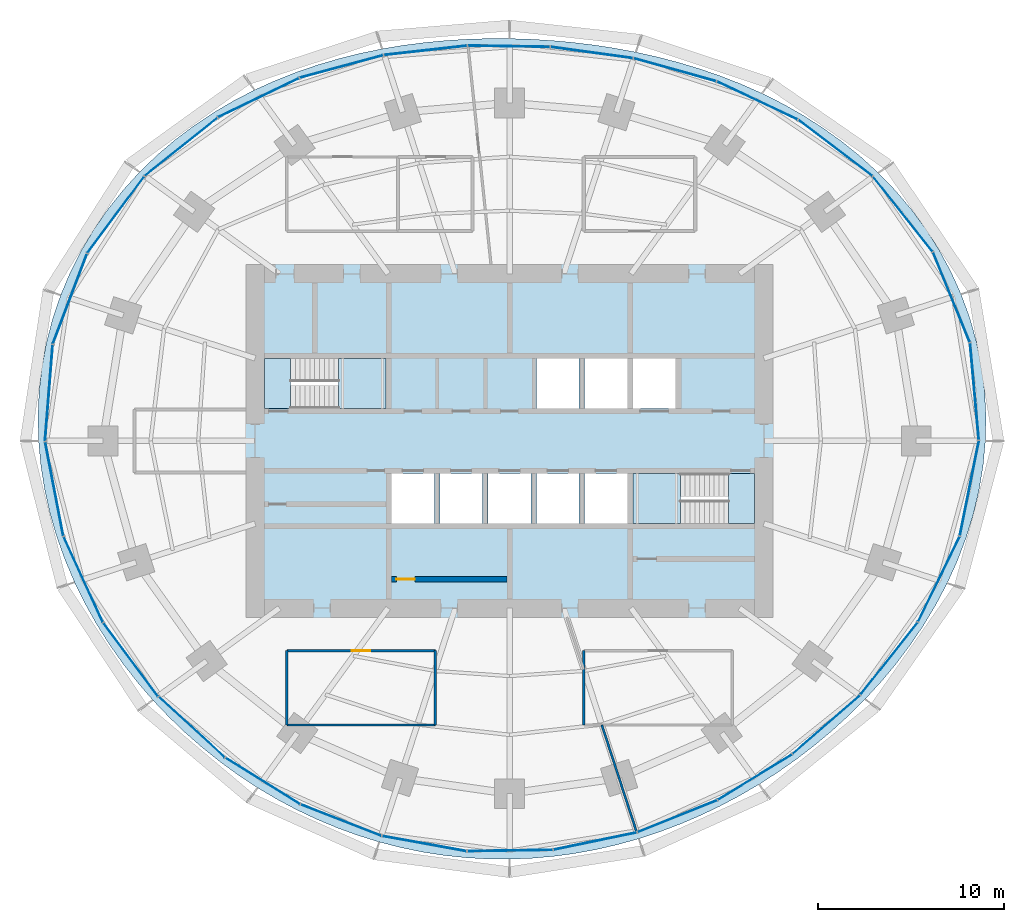
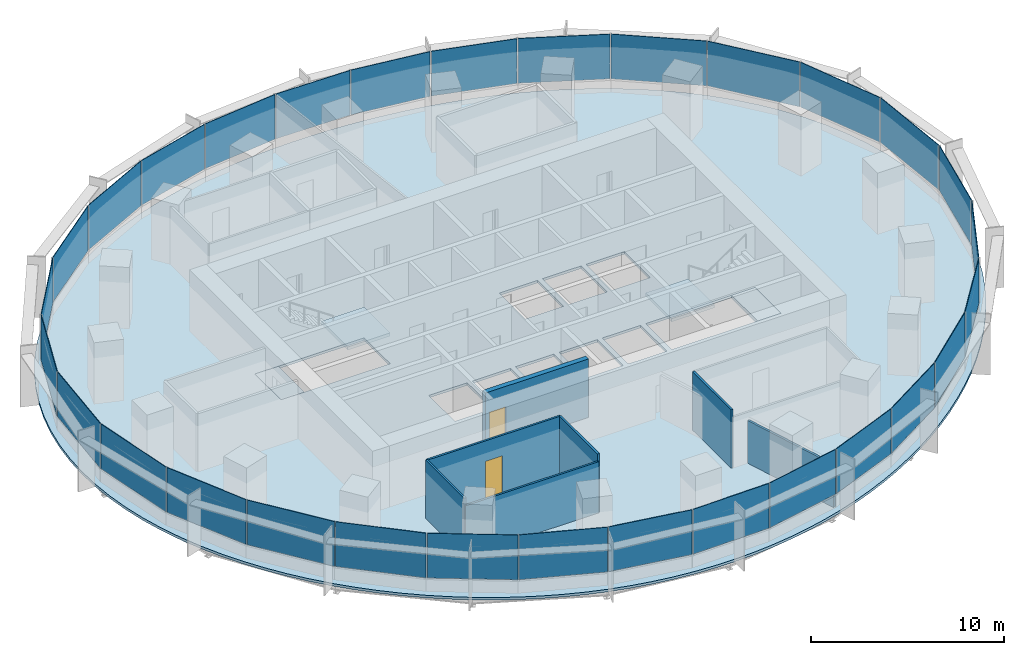
# One storey, part 9 of 14: 30 plates, 7 walls, 5 slabs, 2 doors, 2 openings, 8 elements without a shape of their own.
"""IFC4 building model written with IfcOpenShell, lengths in metres."""

import ifcopenshell
import ifcopenshell.guid

model = None  # the IFC model being written
_history = None  # IfcOwnerHistory: only IFC2X3 demands one
_inside = {}  # id of a spatial element -> (the spatial element, [elements in it])
_under = {}  # id of a project, library or spatial element -> (it, [spatial elements below it])
_declared = {}  # id of a project -> (the project, [libraries it declares])
_typed = {}  # id of a type object -> (the type object, [elements of that type])
_made_of = {}  # id of a material, layer set ... -> (it, [elements and type objects made of it])


def new_model(schema):
    """Start an empty IFC model of exactly this schema.

    Asked for "IFC4X3", IfcOpenShell would pick the latest addendum, in which some entities
    have other attributes; the version numbers below select the first issue.
    IFC2X3 requires an IfcOwnerHistory on every rooted entity: one is made here for all.
    """
    global model, _history
    if schema == "IFC4X3":
        model = ifcopenshell.file(schema_version=(4, 3, 0, 0))
    else:
        model = ifcopenshell.file(schema=schema)
    _inside.clear()
    _under.clear()
    _declared.clear()
    _typed.clear()
    _made_of.clear()
    _history = None
    if model.schema == "IFC2X3":
        org = make("IfcOrganization", Name="unknown")
        user = make(
            "IfcPersonAndOrganization",
            ThePerson=make("IfcPerson", FamilyName="unknown"),
            TheOrganization=org,
        )
        app = make(
            "IfcApplication",
            ApplicationDeveloper=org,
            Version="unknown",
            ApplicationFullName="unknown",
            ApplicationIdentifier="unknown",
        )
        _history = make(
            "IfcOwnerHistory",
            OwningUser=user,
            OwningApplication=app,
            ChangeAction="ADDED",
            CreationDate=0,
        )
    return model


def make(cls, **values):
    """One entity of the class cls with the attributes given. An attribute that is None is left unset."""
    return model.create_entity(
        cls, **{name: value for name, value in values.items() if value is not None}
    )


def rooted(cls, **values):
    """An entity with a GlobalId (a new one), such as an element, a storey or a relation."""
    return make(cls, GlobalId=ifcopenshell.guid.new(), OwnerHistory=_history, **values)


def si_unit(unit_type, name, prefix=None):
    """IfcSIUnit, for example si_unit("LENGTHUNIT", "METRE", prefix="MILLI")."""
    return make("IfcSIUnit", UnitType=unit_type, Prefix=prefix, Name=name)


def assignment(units):
    """IfcUnitAssignment: the units of a project."""
    return None if units is None else make("IfcUnitAssignment", Units=units)


def point(xyz):
    """IfcCartesianPoint."""
    return None if xyz is None else make("IfcCartesianPoint", Coordinates=xyz)


def direction(xyz):
    """IfcDirection."""
    return None if xyz is None else make("IfcDirection", DirectionRatios=xyz)


def frame(location, z_axis=None, x_axis=None):
    """IfcAxis2Placement3D, a coordinate frame: its origin and axes. An axis left out is left unset."""
    return make(
        "IfcAxis2Placement3D",
        Location=point(location),
        Axis=direction(z_axis),
        RefDirection=direction(x_axis),
    )


def frame_2d(location, x_axis=None):
    """IfcAxis2Placement2D, a coordinate frame in the plane: its origin and x axis."""
    return make(
        "IfcAxis2Placement2D", Location=point(location), RefDirection=direction(x_axis)
    )


def origin():
    """The frame at (0, 0, 0) with its axes left unset."""
    return frame((0.0, 0.0, 0.0))


def origin_2d():
    """The frame at (0, 0) in the plane with its x axis left unset."""
    return frame_2d((0.0, 0.0))


def place(relative_to, where):
    """IfcLocalPlacement: puts the frame where relative to a parent placement (None: the world)."""
    return make(
        "IfcLocalPlacement", PlacementRelTo=relative_to, RelativePlacement=where
    )


def context(
    kind, dimensions, precision=None, world=None, true_north=None, identifier=None
):
    """IfcGeometricRepresentationContext, for example the 3D "Model" context."""
    return make(
        "IfcGeometricRepresentationContext",
        ContextIdentifier=identifier,
        ContextType=kind,
        CoordinateSpaceDimension=dimensions,
        Precision=precision,
        WorldCoordinateSystem=world,
        TrueNorth=true_north,
    )


def subcontext(parent, identifier, kind, view, scale=None):
    """IfcGeometricRepresentationSubContext, for example "Body" below "Model"."""
    return make(
        "IfcGeometricRepresentationSubContext",
        ContextIdentifier=identifier,
        ContextType=kind,
        ParentContext=parent,
        TargetScale=scale,
        TargetView=view,
    )


def project(units=None, contexts=None):
    """IfcProject with its units and contexts."""
    return rooted(
        "IfcProject",
        Name="project",
        RepresentationContexts=contexts,
        UnitsInContext=assignment(units),
    )


def spatial(cls, under=None, at=None, **own):
    """A site, building, storey or space (cls), placed at a placement, below another one or the project."""
    s = rooted(cls, ObjectPlacement=at, **own)
    if under is not None:
        _under.setdefault(under.id(), (under, []))[1].append(s)
    return s


def polyline(points):
    """IfcPolyline through the points."""
    return make("IfcPolyline", Points=[point(p) for p in points])


def profile(cls, at=None, kind="AREA", **sizes):
    """A parametric profile (cls). Its sizes go by their IFC names, for example OverallWidth=200.0."""
    return make(cls, ProfileType=kind, Position=at, **sizes)


def rectangle(**sizes):
    """IfcRectangleProfileDef."""
    return profile("IfcRectangleProfileDef", **sizes)


def outline(outer, holes=None, kind="AREA"):
    """IfcArbitraryClosedProfileDef: a profile drawn as a closed curve; with holes, ...WithVoids."""
    if holes is None:
        return make("IfcArbitraryClosedProfileDef", ProfileType=kind, OuterCurve=outer)
    return make(
        "IfcArbitraryProfileDefWithVoids",
        ProfileType=kind,
        OuterCurve=outer,
        InnerCurves=holes,
    )


def extrude(swept, where, along, depth):
    """IfcExtrudedAreaSolid: the profile swept, set in the frame where, extruded along a direction by depth."""
    return make(
        "IfcExtrudedAreaSolid",
        SweptArea=swept,
        Position=where,
        ExtrudedDirection=direction(along),
        Depth=depth,
    )


def shape(context_of_items, identifier, shape_type, items):
    """IfcShapeRepresentation: the items that make up one representation, for example the "Body"."""
    return make(
        "IfcShapeRepresentation",
        ContextOfItems=context_of_items,
        RepresentationIdentifier=identifier,
        RepresentationType=shape_type,
        Items=items,
    )


def material(Name=None, Category=None):
    """IfcMaterial."""
    return make("IfcMaterial", Name=Name, Category=Category)


def layer(
    of_material, thickness, ventilated=None, Name=None, Category=None, Priority=None
):
    """IfcMaterialLayer: one layer of a wall or slab, of a material (None: an air gap)."""
    return make(
        "IfcMaterialLayer",
        Material=of_material,
        LayerThickness=thickness,
        IsVentilated=ventilated,
        Name=Name,
        Category=Category,
        Priority=Priority,
    )


def layer_set(layers, Name=None):
    """IfcMaterialLayerSet."""
    return make("IfcMaterialLayerSet", MaterialLayers=layers, LayerSetName=Name)


def made_of(thing, what):
    """Note that an element or type object is made of a material, layer set ...; save() writes the relation."""
    if what is not None:
        _made_of.setdefault(what.id(), (what, []))[1].append(thing)
    return thing


def type_object(cls, material=None, **own):
    """A type object (cls), such as IfcWallType, which elements share."""
    return made_of(rooted(cls, **own), material)


def element(
    cls,
    number,
    at=None,
    inside=None,
    cuts=None,
    type_object=None,
    material=None,
    context=None,
    identifier="Body",
    shape_type=None,
    held_by="IfcProductDefinitionShape",
    body=None,
    shapes=None,
    **own,
):
    """One element of the class cls, such as IfcWall. Its Tag is "e" and its number.

    at: its placement. inside: the storey or other place that contains it. cuts: it is an
    opening in that element (IfcRelVoidsElement). A single representation is given by context,
    identifier, shape_type and body (its items); several are given by shapes. held_by: the class
    of the entity that holds the representations. save() writes the other relations.
    """
    e = rooted(cls, Tag="e%d" % number, ObjectPlacement=at, **own)
    if body is not None:
        shapes = [shape(context, identifier, shape_type, body)]
    if shapes is not None:
        e.Representation = make(held_by, Representations=shapes)
    if inside is not None:
        _inside.setdefault(inside.id(), (inside, []))[1].append(e)
    if cuts is not None:
        rooted(
            "IfcRelVoidsElement", RelatingBuildingElement=cuts, RelatedOpeningElement=e
        )
    if type_object is not None:
        _typed.setdefault(type_object.id(), (type_object, []))[1].append(e)
    return made_of(e, material)


def fill(opening, filler):
    """IfcRelFillsElement: the door or window that sits in an opening."""
    return rooted(
        "IfcRelFillsElement",
        RelatingOpeningElement=opening,
        RelatedBuildingElement=filler,
    )


def aggregate(whole, parts):
    """IfcRelAggregates: a whole, such as a stair, and the parts it consists of."""
    return rooted("IfcRelAggregates", RelatingObject=whole, RelatedObjects=parts)


def save(model, path):
    """Write the relations noted so far, then the file.

    IfcRelAggregates (storeys below a building ...), IfcRelContainedInSpatialStructure (elements
    in a storey), IfcRelDefinesByType, IfcRelAssociatesMaterial and IfcRelDeclares: one each for
    every whole, place, type object, material and project.
    """
    for whole, parts in _under.values():
        aggregate(whole, parts)
    for where, things in _inside.values():
        rooted(
            "IfcRelContainedInSpatialStructure",
            RelatedElements=things,
            RelatingStructure=where,
        )
    for kind, things in _typed.values():
        rooted("IfcRelDefinesByType", RelatedObjects=things, RelatingType=kind)
    for what, things in _made_of.values():
        rooted("IfcRelAssociatesMaterial", RelatedObjects=things, RelatingMaterial=what)
    for by, libraries in _declared.values():
        rooted("IfcRelDeclares", RelatingContext=by, RelatedDefinitions=libraries)
    model.write(path)


model = new_model("IFC4")

# Units and contexts
model_context = context("Model", 3, precision=1e-05, world=origin(), true_north=direction((0.0, 1.0)))
body_context = subcontext(model_context, "Body", "Model", "MODEL_VIEW")
ifc_project = project(units=[si_unit("LENGTHUNIT", "METRE"), si_unit("AREAUNIT", "SQUARE_METRE"), si_unit("VOLUMEUNIT", "CUBIC_METRE"), si_unit("PLANEANGLEUNIT", "RADIAN"), si_unit("MASSUNIT", "GRAM", prefix="KILO")], contexts=[model_context])

# Site, building, storey
site_placement = place(None, origin())
site = spatial("IfcSite", under=ifc_project, at=site_placement, CompositionType="ELEMENT")
building_placement = place(site_placement, origin())
building = spatial("IfcBuilding", under=site, at=building_placement, Name="Marramba Exchange Tower", CompositionType="ELEMENT")
storey_placement = place(building_placement, frame((0.0, 0.0, 162.60009765625)))
storey = spatial("IfcBuildingStorey", under=building, at=storey_placement, Name="L39", CompositionType="ELEMENT", Elevation=162.60009765625)

# Slab
ifc_material_1 = material(Name="Concrete N40", Category="concrete")
ifc_layer_1 = layer(ifc_material_1, 0.159912109375)
ifc_layer_set_1 = layer_set([ifc_layer_1], Name="Composite floor slab 160")
slab_type_1 = type_object("IfcSlabType", Name="Composite floor slab 160", PredefinedType="FLOOR", material=ifc_layer_set_1)
slab_1_placement = place(storey_placement, frame((0.0, 0.0, -0.16015625)))
element("IfcSlab", 1, at=slab_1_placement, inside=storey, type_object=slab_type_1, Name="Floor slab L39", PredefinedType="FLOOR", context=body_context, shape_type="SweptSolid", body=[
    extrude(outline(polyline([(25.632080078125, 0.0), (25.66064453125, 1.3447265625), (25.59033203125, 2.689697265625), (25.420166015625, 4.026123046875), (25.15087890625, 5.345947265625), (24.7841796875, 6.640869140625), (24.322998046875, 7.903076171875), (23.771484375, 9.125), (23.135009765625, 10.30029296875), (22.419677734375, 11.42333984375), (21.632080078125, 12.4892578125), (20.779541015625, 13.494384765625), (19.869384765625, 14.43603515625), (18.9091796875, 15.3125), (17.90625, 16.122802734375), (16.86767578125, 16.86767578125), (15.800048828125, 17.5478515625), (14.70947265625, 18.164794921875), (13.6015625, 18.720947265625), (12.48095703125, 19.218994140625), (11.3515625, 19.66162109375), (10.217041015625, 20.05224609375), (9.079833984375, 20.393798828125), (7.94189453125, 20.689453125), (6.804443359375, 20.942138671875), (5.668212890625, 21.154296875), (4.533447265625, 21.328369140625), (3.39990234375, 21.46630859375), (2.26708984375, 21.5693359375), (1.134033203125, 21.63818359375), (0.0, 21.673095703125), (-1.135986328125, 21.673828125), (-2.2744140625, 21.6396484375), (-3.416259765625, 21.5693359375), (-4.5615234375, 21.460693359375), (-5.71044921875, 21.31201171875), (-6.8623046875, 21.1201171875), (-8.01611328125, 20.8828125), (-9.170166015625, 20.5966796875), (-10.322509765625, 20.2587890625), (-11.4697265625, 19.8662109375), (-12.60888671875, 19.415771484375), (-13.7353515625, 18.905029296875), (-14.8447265625, 18.331787109375), (-15.931640625, 17.69384765625), (-16.989990234375, 16.989990234375), (-18.013916015625, 16.2197265625), (-18.996826171875, 15.38330078125), (-19.931884765625, 14.4814453125), (-20.8125, 13.515869140625), (-21.632080078125, 12.4892578125), (-22.384033203125, 11.4052734375), (-23.0625, 10.26806640625), (-23.661865234375, 9.0830078125), (-24.177734375, 7.855712890625), (-24.605712890625, 6.593017578125), (-24.943603515625, 5.302001953125), (-25.18896484375, 3.989501953125), (-25.341064453125, 2.663330078125), (-25.400390625, 1.3310546875), (-25.367919921875, 0.0), (-25.246337890625, -1.322998046875), (-25.038818359375, -2.631591796875), (-24.748779296875, -3.919921875), (-24.381103515625, -5.182373046875), (-23.940185546875, -6.414794921875), (-23.431396484375, -7.61328125), (-22.859130859375, -8.77490234375), (-22.22900390625, -9.89697265625), (-21.545166015625, -10.977783203125), (-20.81201171875, -12.015869140625), (-20.033935546875, -13.010009765625), (-19.2138671875, -13.959716796875), (-18.35546875, -14.86376953125), (-17.461181640625, -15.72216796875), (-16.53369140625, -16.53369140625), (-15.5751953125, -17.298095703125), (-14.587646484375, -18.014404296875), (-13.5732421875, -18.681884765625), (-12.533203125, -19.299560546875), (-11.4697265625, -19.8662109375), (-10.384765625, -20.381103515625), (-9.27978515625, -20.8427734375), (-8.157470703125, -21.250732421875), (-7.019287109375, -21.603271484375), (-5.8681640625, -21.900146484375), (-4.7060546875, -22.14013671875), (-3.53564453125, -22.322998046875), (-2.359375, -22.448486328125), (-1.179931640625, -22.516357421875), (0.0, -22.52685546875), (1.17822265625, -22.480712890625), (2.35205078125, -22.3779296875), (3.519287109375, -22.22021484375), (4.677978515625, -22.0078125), (5.825927734375, -21.742431640625), (6.96142578125, -21.425048828125), (8.0830078125, -21.05712890625), (9.189453125, -20.639892578125), (10.279296875, -20.17431640625), (11.3515625, -19.66162109375), (12.4052734375, -19.1025390625), (13.439453125, -18.497802734375), (14.45263671875, -17.847412109375), (15.44384765625, -17.152099609375), (16.411376953125, -16.411376953125), (17.353515625, -15.625244140625), (18.267822265625, -14.79296875), (19.1513671875, -13.914306640625), (20.000732421875, -12.98876953125), (20.81201171875, -12.015869140625), (21.580810546875, -10.995849609375), (22.301513671875, -9.92919921875), (22.96875, -8.81689453125), (23.57666015625, -7.660400390625), (24.11865234375, -6.462646484375), (24.588623046875, -5.2265625), (24.980224609375, -3.95654296875), (25.2880859375, -2.657958984375), (25.5068359375, -1.336669921875), (25.632080078125, 0.0)]), holes=[polyline([(1.449951171875, 1.75), (3.75, 1.75), (3.75, 4.449951171875), (1.449951171875, 4.449951171875), (1.449951171875, 1.75)]), polyline([(4.050048828125, 1.75), (6.35009765625, 1.75), (6.35009765625, 4.449951171875), (4.050048828125, 4.449951171875), (4.050048828125, 1.75)]), polyline([(-6.35009765625, -4.449951171875), (-4.050048828125, -4.449951171875), (-4.050048828125, -1.75), (-6.35009765625, -1.75), (-6.35009765625, -4.449951171875)]), polyline([(-3.75, -4.449951171875), (-1.449951171875, -4.449951171875), (-1.449951171875, -1.75), (-3.75, -1.75), (-3.75, -4.449951171875)]), polyline([(-1.14990234375, -4.449951171875), (1.14990234375, -4.449951171875), (1.14990234375, -1.75), (-1.14990234375, -1.75), (-1.14990234375, -4.449951171875)]), polyline([(1.449951171875, -4.449951171875), (3.75, -4.449951171875), (3.75, -1.75), (1.449951171875, -1.75), (1.449951171875, -4.449951171875)]), polyline([(4.050048828125, -4.449951171875), (6.35009765625, -4.449951171875), (6.35009765625, -1.75), (4.050048828125, -1.75), (4.050048828125, -4.449951171875)]), polyline([(6.64990234375, 1.75), (8.949951171875, 1.75), (8.949951171875, 4.449951171875), (6.64990234375, 4.449951171875), (6.64990234375, 1.75)]), polyline([(-13.199951171875, 1.75), (-6.64990234375, 1.75), (-6.64990234375, 4.449951171875), (-13.199951171875, 4.449951171875), (-13.199951171875, 1.75)]), polyline([(6.64990234375, -4.449951171875), (13.199951171875, -4.449951171875), (13.199951171875, -1.75), (6.64990234375, -1.75), (6.64990234375, -4.449951171875)])]), origin(), (0.0, 0.0, 1.0), 0.16015625),
])

# Curtain wall, plates
ifc_material_2 = material(Name="Aluminium framing, bronze anodised", Category="aluminium")
curtain_wall_type = type_object("IfcCurtainWallType", Name="Office ribbon curtain wall", PredefinedType="USERDEFINED", material=ifc_material_2)
curtain_wall_1_placement = place(storey_placement, origin())
curtain_wall_1 = element("IfcCurtainWall", 2, at=curtain_wall_1_placement, inside=storey, type_object=curtain_wall_type, Name="Curtain wall CW4 L39 F01-F05", ObjectType="RIBBON CURTAIN WALL", PredefinedType="USERDEFINED")
ifc_material_3 = material(Name="Laminated double glazed unit 10.76 + 16 + 10.76, bronze tinted", Category="glass")
ifc_layer_2 = layer(ifc_material_3, 0.03759765625)
ifc_layer_set_2 = layer_set([ifc_layer_2], Name="Office ribbon curtain wall panel")
plate_type = type_object("IfcPlateType", Name="Office ribbon curtain wall panel", PredefinedType="CURTAIN_PANEL", material=ifc_layer_set_2)
plate_1_placement = place(storey_placement, frame((25.042724609375, 2.66650390625, 0.85986328125), z_axis=(0.0, 0.0, 1.0), x_axis=(-0.089412887889, 0.995994646311, 0.0)))
plate_1 = element("IfcPlate", 3, at=plate_1_placement, type_object=plate_type, Name="CW4 vision panel", PredefinedType="CURTAIN_PANEL", context=body_context, shape_type="SweptSolid", body=[
    extrude(rectangle(XDim=5.234375, YDim=0.03759765625, at=origin_2d()), origin(), (0.0, 0.0, 1.0), 2.840087890625),
])
plate_2_placement = place(storey_placement, frame((23.800537109375, 7.743408203125, 0.85986328125), z_axis=(0.0, 0.0, 1.0), x_axis=(-0.377821183171, 0.925878584668, 0.0)))
plate_2 = element("IfcPlate", 4, at=plate_2_placement, type_object=plate_type, Name="CW4 vision panel", PredefinedType="CURTAIN_PANEL", context=body_context, shape_type="SweptSolid", body=[
    extrude(rectangle(XDim=5.2158203125, YDim=0.03759765625, at=origin_2d()), origin(), (0.0, 0.0, 1.0), 2.840087890625),
])
plate_3_placement = place(storey_placement, frame((21.18212890625, 12.217529296875, 0.85986328125), z_axis=(0.0, 0.0, 1.0), x_axis=(-0.621312004611, 0.783563266703, 0.0)))
plate_3 = element("IfcPlate", 5, at=plate_3_placement, type_object=plate_type, Name="CW4 vision panel", PredefinedType="CURTAIN_PANEL", context=body_context, shape_type="SweptSolid", body=[
    extrude(rectangle(XDim=5.136962890625, YDim=0.03759765625, at=origin_2d()), origin(), (0.0, 0.0, 1.0), 2.840087890625),
])
plate_4_placement = place(storey_placement, frame((17.55224609375, 15.777099609375, 0.85986328125), z_axis=(0.0, 0.0, 1.0), x_axis=(-0.795971748366, 0.60533377223, 0.0)))
plate_4 = element("IfcPlate", 6, at=plate_4_placement, type_object=plate_type, Name="CW4 vision panel", PredefinedType="CURTAIN_PANEL", context=body_context, shape_type="SweptSolid", body=[
    extrude(rectangle(XDim=4.990966796875, YDim=0.03759765625, at=origin_2d()), origin(), (0.0, 0.0, 1.0), 2.840087890625),
])
plate_5_placement = place(storey_placement, frame((13.34423828125, 18.3359375, 0.85986328125), z_axis=(0.0, 0.0, 1.0), x_axis=(-0.904403137485, 0.426678995157, 0.0)))
plate_5 = element("IfcPlate", 7, at=plate_5_placement, type_object=plate_type, Name="CW4 vision panel", PredefinedType="CURTAIN_PANEL", context=body_context, shape_type="SweptSolid", body=[
    extrude(rectangle(XDim=4.793212890625, YDim=0.03759765625, at=origin_2d()), origin(), (0.0, 0.0, 1.0), 2.840087890625),
])
aggregate(curtain_wall_1, [plate_1, plate_2, plate_3, plate_4, plate_5])

curtain_wall_2_placement = place(storey_placement, origin())
curtain_wall_2 = element("IfcCurtainWall", 8, at=curtain_wall_2_placement, inside=storey, type_object=curtain_wall_type, Name="Curtain wall CW4 L39 F06-F10", ObjectType="RIBBON CURTAIN WALL", PredefinedType="USERDEFINED")
plate_6_placement = place(storey_placement, frame((8.907470703125, 19.991943359375, 0.85986328125), z_axis=(0.0, 0.0, 1.0), x_axis=(-0.963177845956, 0.268865090816, 0.0)))
plate_6 = element("IfcPlate", 9, at=plate_6_placement, type_object=plate_type, Name="CW4 vision panel", PredefinedType="CURTAIN_PANEL", context=body_context, shape_type="SweptSolid", body=[
    extrude(rectangle(XDim=4.591552734375, YDim=0.03759765625, at=origin_2d()), origin(), (0.0, 0.0, 1.0), 2.840087890625),
])
plate_7_placement = place(storey_placement, frame((4.43359375, 20.919189453125, 0.85986328125), z_axis=(0.0, 0.0, 1.0), x_axis=(-0.990738212841, 0.135785837319, 0.0)))
plate_7 = element("IfcPlate", 10, at=plate_7_placement, type_object=plate_type, Name="CW4 vision panel", PredefinedType="CURTAIN_PANEL", context=body_context, shape_type="SweptSolid", body=[
    extrude(rectangle(XDim=4.447509765625, YDim=0.03759765625, at=origin_2d()), origin(), (0.0, 0.0, 1.0), 2.840087890625),
])
plate_8_placement = place(storey_placement, frame((-0.03369140625, 21.2568359375, 0.85986328125), z_axis=(0.0, 0.0, 1.0), x_axis=(-0.999875869968, 0.01575578169, 0.0)))
plate_8 = element("IfcPlate", 11, at=plate_8_placement, type_object=plate_type, Name="CW4 vision panel", PredefinedType="CURTAIN_PANEL", context=body_context, shape_type="SweptSolid", body=[
    extrude(rectangle(XDim=4.408935546875, YDim=0.03759765625, at=origin_2d()), origin(), (0.0, 0.0, 1.0), 2.840087890625),
])
plate_9_placement = place(storey_placement, frame((-4.52587890625, 21.0361328125, 0.85986328125), z_axis=(0.0, 0.0, 1.0), x_axis=(-0.993823395532, -0.110973233233, 0.0)))
plate_9 = element("IfcPlate", 12, at=plate_9_placement, type_object=plate_type, Name="CW4 vision panel", PredefinedType="CURTAIN_PANEL", context=body_context, shape_type="SweptSolid", body=[
    extrude(rectangle(XDim=4.484375, YDim=0.03759765625, at=origin_2d()), origin(), (0.0, 0.0, 1.0), 2.840087890625),
])
plate_10_placement = place(storey_placement, frame((-9.053466796875, 20.16748046875, 0.85986328125), z_axis=(0.0, 0.0, 1.0), x_axis=(-0.965522047176, -0.260321294588, 0.0)))
plate_10 = element("IfcPlate", 13, at=plate_10_placement, type_object=plate_type, Name="CW4 vision panel", PredefinedType="CURTAIN_PANEL", context=body_context, shape_type="SweptSolid", body=[
    extrude(rectangle(XDim=4.642578125, YDim=0.03759765625, at=origin_2d()), origin(), (0.0, 0.0, 1.0), 2.840087890625),
])
aggregate(curtain_wall_2, [plate_6, plate_7, plate_8, plate_9, plate_10])

curtain_wall_3_placement = place(storey_placement, origin())
curtain_wall_3 = element("IfcCurtainWall", 14, at=curtain_wall_3_placement, inside=storey, type_object=curtain_wall_type, Name="Curtain wall CW4 L39 F11-F15", ObjectType="RIBBON CURTAIN WALL", PredefinedType="USERDEFINED")
plate_11_placement = place(storey_placement, frame((-13.52294921875, 18.4853515625, 0.85986328125), z_axis=(0.0, 0.0, 1.0), x_axis=(-0.900223739881, -0.435427626771, 0.0)))
plate_11 = element("IfcPlate", 15, at=plate_11_placement, type_object=plate_type, Name="CW4 vision panel", PredefinedType="CURTAIN_PANEL", context=body_context, shape_type="SweptSolid", body=[
    extrude(rectangle(XDim=4.83056640625, YDim=0.03759765625, at=origin_2d()), origin(), (0.0, 0.0, 1.0), 2.840087890625),
])
plate_12_placement = place(storey_placement, frame((-17.696533203125, 15.8359375, 0.85986328125), z_axis=(0.0, 0.0, 1.0), x_axis=(-0.78117833008, -0.624307950145, 0.0)))
plate_12 = element("IfcPlate", 16, at=plate_12_placement, type_object=plate_type, Name="CW4 vision panel", PredefinedType="CURTAIN_PANEL", context=body_context, shape_type="SweptSolid", body=[
    extrude(rectangle(XDim=4.998291015625, YDim=0.03759765625, at=origin_2d()), origin(), (0.0, 0.0, 1.0), 2.840087890625),
])
plate_13_placement = place(storey_placement, frame((-21.213623046875, 12.1767578125, 0.85986328125), z_axis=(0.0, 0.0, 1.0), x_axis=(-0.597703997504, -0.80171686484, 0.0)))
plate_13 = element("IfcPlate", 17, at=plate_13_placement, type_object=plate_type, Name="CW4 vision panel", PredefinedType="CURTAIN_PANEL", context=body_context, shape_type="SweptSolid", body=[
    extrude(rectangle(XDim=5.116455078125, YDim=0.03759765625, at=origin_2d()), origin(), (0.0, 0.0, 1.0), 2.840087890625),
])
plate_14_placement = place(storey_placement, frame((-23.6826171875, 7.6494140625, 0.85986328125), z_axis=(0.0, 0.0, 1.0), x_axis=(-0.354844468484, -0.934925346317, 0.0)))
plate_14 = element("IfcPlate", 18, at=plate_14_placement, type_object=plate_type, Name="CW4 vision panel", PredefinedType="CURTAIN_PANEL", context=body_context, shape_type="SweptSolid", body=[
    extrude(rectangle(XDim=5.177490234375, YDim=0.03759765625, at=origin_2d()), origin(), (0.0, 0.0, 1.0), 2.840087890625),
])
plate_15_placement = place(storey_placement, frame((-24.81201171875, 2.584716796875, 0.85986328125), z_axis=(0.0, 0.0, 1.0), x_axis=(-0.079459696383, -0.996838079455, 0.0)))
plate_15 = element("IfcPlate", 19, at=plate_15_placement, type_object=plate_type, Name="CW4 vision panel", PredefinedType="CURTAIN_PANEL", context=body_context, shape_type="SweptSolid", body=[
    extrude(rectangle(XDim=5.185791015625, YDim=0.03759765625, at=origin_2d()), origin(), (0.0, 0.0, 1.0), 2.840087890625),
])
aggregate(curtain_wall_3, [plate_11, plate_12, plate_13, plate_14, plate_15])

curtain_wall_4_placement = place(storey_placement, origin())
curtain_wall_4 = element("IfcCurtainWall", 20, at=curtain_wall_4_placement, inside=storey, type_object=curtain_wall_type, Name="Curtain wall CW4 L39 F16-F20", ObjectType="RIBBON CURTAIN WALL", PredefinedType="USERDEFINED")
plate_16_placement = place(storey_placement, frame((-24.522705078125, -2.584228515625, 0.85986328125), z_axis=(0.0, 0.0, 1.0), x_axis=(0.18822721487, -0.982125509078, 0.0)))
plate_16 = element("IfcPlate", 21, at=plate_16_placement, type_object=plate_type, Name="CW4 vision panel", PredefinedType="CURTAIN_PANEL", context=body_context, shape_type="SweptSolid", body=[
    extrude(rectangle(XDim=5.142578125, YDim=0.03759765625, at=origin_2d()), origin(), (0.0, 0.0, 1.0), 2.840087890625),
])
plate_17_placement = place(storey_placement, frame((-22.96142578125, -7.45947265625, 0.85986328125), z_axis=(0.0, 0.0, 1.0), x_axis=(0.416737848929, -0.909026713177, 0.0)))
plate_17 = element("IfcPlate", 22, at=plate_17_placement, type_object=plate_type, Name="CW4 vision panel", PredefinedType="CURTAIN_PANEL", context=body_context, shape_type="SweptSolid", body=[
    extrude(rectangle(XDim=5.0498046875, YDim=0.03759765625, at=origin_2d()), origin(), (0.0, 0.0, 1.0), 2.840087890625),
])
plate_18_placement = place(storey_placement, frame((-20.402099609375, -11.7783203125, 0.85986328125), z_axis=(0.0, 0.0, 1.0), x_axis=(0.597304697033, -0.802014400683, 0.0)))
plate_18 = element("IfcPlate", 23, at=plate_18_placement, type_object=plate_type, Name="CW4 vision panel", PredefinedType="CURTAIN_PANEL", context=body_context, shape_type="SweptSolid", body=[
    extrude(rectangle(XDim=4.926513671875, YDim=0.03759765625, at=origin_2d()), origin(), (0.0, 0.0, 1.0), 2.840087890625),
])
plate_19_placement = place(storey_placement, frame((-17.11376953125, -15.416259765625, 0.85986328125), z_axis=(0.0, 0.0, 1.0), x_axis=(0.737821886077, -0.674995455115, 0.0)))
plate_19 = element("IfcPlate", 24, at=plate_19_placement, type_object=plate_type, Name="CW4 vision panel", PredefinedType="CURTAIN_PANEL", context=body_context, shape_type="SweptSolid", body=[
    extrude(rectangle(XDim=4.80517578125, YDim=0.03759765625, at=origin_2d()), origin(), (0.0, 0.0, 1.0), 2.840087890625),
])
plate_20_placement = place(storey_placement, frame((-13.29248046875, -18.31640625, 0.85986328125), z_axis=(0.0, 0.0, 1.0), x_axis=(0.84835459748, -0.52942844364, 0.0)))
plate_20 = element("IfcPlate", 25, at=plate_20_placement, type_object=plate_type, Name="CW4 vision panel", PredefinedType="CURTAIN_PANEL", context=body_context, shape_type="SweptSolid", body=[
    extrude(rectangle(XDim=4.70947265625, YDim=0.03759765625, at=origin_2d()), origin(), (0.0, 0.0, 1.0), 2.840087890625),
])
aggregate(curtain_wall_4, [plate_16, plate_17, plate_18, plate_19, plate_20])

curtain_wall_5_placement = place(storey_placement, origin())
curtain_wall_5 = element("IfcCurtainWall", 26, at=curtain_wall_5_placement, inside=storey, type_object=curtain_wall_type, Name="Curtain wall CW4 L39 F21-F25", ObjectType="RIBBON CURTAIN WALL", PredefinedType="USERDEFINED")
plate_21_placement = place(storey_placement, frame((-9.074951171875, -20.427734375, 0.85986328125), z_axis=(0.0, 0.0, 1.0), x_axis=(0.931818390344, -0.36292490603, 0.0)))
plate_21 = element("IfcPlate", 27, at=plate_21_placement, type_object=plate_type, Name="CW4 vision panel", PredefinedType="CURTAIN_PANEL", context=body_context, shape_type="SweptSolid", body=[
    extrude(rectangle(XDim=4.644287109375, YDim=0.03759765625, at=origin_2d()), origin(), (0.0, 0.0, 1.0), 2.840087890625),
])
plate_22_placement = place(storey_placement, frame((-4.58740234375, -21.690673828125, 0.85986328125), z_axis=(0.0, 0.0, 1.0), x_axis=(0.984031865834, -0.177992379115, 0.0)))
plate_22 = element("IfcPlate", 28, at=plate_22_placement, type_object=plate_type, Name="CW4 vision panel", PredefinedType="CURTAIN_PANEL", context=body_context, shape_type="SweptSolid", body=[
    extrude(rectangle(XDim=4.602783203125, YDim=0.03759765625, at=origin_2d()), origin(), (0.0, 0.0, 1.0), 2.840087890625),
])
plate_23_placement = place(storey_placement, frame((0.0263671875, -22.064697265625, 0.85986328125), z_axis=(0.0, 0.0, 1.0), x_axis=(0.999884797709, 0.015178646521, 0.0)))
plate_23 = element("IfcPlate", 29, at=plate_23_placement, type_object=plate_type, Name="CW4 vision panel", PredefinedType="CURTAIN_PANEL", context=body_context, shape_type="SweptSolid", body=[
    extrude(rectangle(XDim=4.578857421875, YDim=0.03759765625, at=origin_2d()), origin(), (0.0, 0.0, 1.0), 2.840087890625),
])
plate_24_placement = place(storey_placement, frame((4.61376953125, -21.554931640625, 0.85986328125), z_axis=(0.0, 0.0, 1.0), x_axis=(0.979310199794, 0.202364850159, 0.0)))
plate_24 = element("IfcPlate", 30, at=plate_24_placement, type_object=plate_type, Name="CW4 vision panel", PredefinedType="CURTAIN_PANEL", context=body_context, shape_type="SweptSolid", body=[
    extrude(rectangle(XDim=4.57373046875, YDim=0.03759765625, at=origin_2d()), origin(), (0.0, 0.0, 1.0), 2.840087890625),
])
plate_25_placement = place(storey_placement, frame((9.042724609375, -20.214111328125, 0.85986328125), z_axis=(0.0, 0.0, 1.0), x_axis=(0.928148916059, 0.372209067082, 0.0)))
plate_25 = element("IfcPlate", 31, at=plate_25_placement, type_object=plate_type, Name="CW4 vision panel", PredefinedType="CURTAIN_PANEL", context=body_context, shape_type="SweptSolid", body=[
    extrude(rectangle(XDim=4.59814453125, YDim=0.03759765625, at=origin_2d()), origin(), (0.0, 0.0, 1.0), 2.840087890625),
])
aggregate(curtain_wall_5, [plate_21, plate_22, plate_23, plate_24, plate_25])

curtain_wall_6_placement = place(storey_placement, origin())
curtain_wall_6 = element("IfcCurtainWall", 32, at=curtain_wall_6_placement, inside=storey, type_object=curtain_wall_type, Name="Curtain wall CW4 L39 F26-F30", ObjectType="RIBBON CURTAIN WALL", PredefinedType="USERDEFINED")
plate_26_placement = place(storey_placement, frame((13.21875, -18.109619140625, 0.85986328125), z_axis=(0.0, 0.0, 1.0), x_axis=(0.853109114492, 0.521732535664, 0.0)))
plate_26 = element("IfcPlate", 33, at=plate_26_placement, type_object=plate_type, Name="CW4 vision panel", PredefinedType="CURTAIN_PANEL", context=body_context, shape_type="SweptSolid", body=[
    extrude(rectangle(XDim=4.66748046875, YDim=0.03759765625, at=origin_2d()), origin(), (0.0, 0.0, 1.0), 2.840087890625),
])
plate_27_placement = place(storey_placement, frame((17.0615234375, -15.280517578125, 0.85986328125), z_axis=(0.0, 0.0, 1.0), x_axis=(0.754385506384, 0.656431647438, 0.0)))
plate_27 = element("IfcPlate", 34, at=plate_27_placement, type_object=plate_type, Name="CW4 vision panel", PredefinedType="CURTAIN_PANEL", context=body_context, shape_type="SweptSolid", body=[
    extrude(rectangle(XDim=4.789794921875, YDim=0.03759765625, at=origin_2d()), origin(), (0.0, 0.0, 1.0), 2.840087890625),
])
plate_28_placement = place(storey_placement, frame((20.443603515625, -11.724365234375, 0.85986328125), z_axis=(0.0, 0.0, 1.0), x_axis=(0.621807472329, 0.783170139469, 0.0)))
plate_28 = element("IfcPlate", 35, at=plate_28_placement, type_object=plate_type, Name="CW4 vision panel", PredefinedType="CURTAIN_PANEL", context=body_context, shape_type="SweptSolid", body=[
    extrude(rectangle(XDim=4.947265625, YDim=0.03759765625, at=origin_2d()), origin(), (0.0, 0.0, 1.0), 2.840087890625),
])
plate_29_placement = place(storey_placement, frame((23.127197265625, -7.443359375, 0.85986328125), z_axis=(0.0, 0.0, 1.0), x_axis=(0.439086342308, 0.89844486976, 0.0)))
plate_29 = element("IfcPlate", 36, at=plate_29_placement, type_object=plate_type, Name="CW4 vision panel", PredefinedType="CURTAIN_PANEL", context=body_context, shape_type="SweptSolid", body=[
    extrude(rectangle(XDim=5.096923828125, YDim=0.03759765625, at=origin_2d()), origin(), (0.0, 0.0, 1.0), 2.840087890625),
])
plate_30_placement = place(storey_placement, frame((24.77001953125, -2.54736328125, 0.85986328125), z_axis=(0.0, 0.0, 1.0), x_axis=(0.197048511267, 0.980393739376, 0.0)))
plate_30 = element("IfcPlate", 37, at=plate_30_placement, type_object=plate_type, Name="CW4 vision panel", PredefinedType="CURTAIN_PANEL", context=body_context, shape_type="SweptSolid", body=[
    extrude(rectangle(XDim=5.19677734375, YDim=0.03759765625, at=origin_2d()), origin(), (0.0, 0.0, 1.0), 2.840087890625),
])
aggregate(curtain_wall_6, [plate_26, plate_27, plate_28, plate_29, plate_30])

# Stair, slabs
ifc_material_4 = material(Name="Concrete N40 (40 MPa)", Category="concrete")
stair_type_1 = type_object("IfcStairType", Name="Exit stair ST1 3900 x 1250", PredefinedType="HALF_TURN_STAIR", material=ifc_material_4)
stair_1_placement = place(storey_placement, origin())
stair_1 = element("IfcStair", 38, at=stair_1_placement, inside=storey, type_object=stair_type_1, Name="Exit stair ST1 L39", PredefinedType="HALF_TURN_STAIR")
ifc_layer_3 = layer(ifc_material_4, 0.199951171875)
ifc_layer_set_3 = layer_set([ifc_layer_3], Name="Stair landing 200")
slab_type_2 = type_object("IfcSlabType", Name="Stair landing 200", PredefinedType="LANDING", material=ifc_layer_set_3)
slab_2_placement = place(storey_placement, frame((0.0, 0.0, -0.2001953125)))
slab_2 = element("IfcSlab", 39, at=slab_2_placement, type_object=slab_type_2, Name="ST1 landing 1", PredefinedType="LANDING", context=body_context, shape_type="SweptSolid", body=[
    extrude(outline(polyline([(-13.199951171875, 1.75), (-11.800048828125, 1.75), (-11.800048828125, 4.449951171875), (-13.199951171875, 4.449951171875), (-13.199951171875, 1.75)])), origin(), (0.0, 0.0, 1.0), 0.2001953125),
])
slab_3_placement = place(storey_placement, frame((0.0, 0.0, 1.75)))
slab_3 = element("IfcSlab", 40, at=slab_3_placement, type_object=slab_type_2, Name="ST1 landing 2", PredefinedType="LANDING", context=body_context, shape_type="SweptSolid", body=[
    extrude(outline(polyline([(-9.199951171875, 1.75), (-6.64990234375, 1.75), (-6.64990234375, 4.449951171875), (-9.199951171875, 4.449951171875), (-9.199951171875, 1.75)])), origin(), (0.0, 0.0, 1.0), 0.199951171875),
])
aggregate(stair_1, [slab_2, slab_3])

stair_type_2 = type_object("IfcStairType", Name="Exit stair ST2 3900 x 1250", PredefinedType="HALF_TURN_STAIR", material=ifc_material_4)
stair_2_placement = place(storey_placement, origin())
stair_2 = element("IfcStair", 41, at=stair_2_placement, inside=storey, type_object=stair_type_2, Name="Exit stair ST2 L39", PredefinedType="HALF_TURN_STAIR")
slab_4_placement = place(storey_placement, frame((0.0, 0.0, -0.2001953125)))
slab_4 = element("IfcSlab", 42, at=slab_4_placement, type_object=slab_type_2, Name="ST2 landing 1", PredefinedType="LANDING", context=body_context, shape_type="SweptSolid", body=[
    extrude(outline(polyline([(11.800048828125, -4.449951171875), (13.199951171875, -4.449951171875), (13.199951171875, -1.75), (11.800048828125, -1.75), (11.800048828125, -4.449951171875)])), origin(), (0.0, 0.0, 1.0), 0.2001953125),
])
slab_5_placement = place(storey_placement, frame((0.0, 0.0, 1.75)))
slab_5 = element("IfcSlab", 43, at=slab_5_placement, type_object=slab_type_2, Name="ST2 landing 2", PredefinedType="LANDING", context=body_context, shape_type="SweptSolid", body=[
    extrude(outline(polyline([(6.64990234375, -4.449951171875), (9.199951171875, -4.449951171875), (9.199951171875, -1.75), (6.64990234375, -1.75), (6.64990234375, -4.449951171875)])), origin(), (0.0, 0.0, 1.0), 0.199951171875),
])
aggregate(stair_2, [slab_4, slab_5])

# Wall
ifc_material_5 = material(Name="Plasterboard on steel studs", Category="steel")
ifc_layer_4 = layer(ifc_material_5, 0.1201171875)
ifc_layer_set_4 = layer_set([ifc_layer_4], Name="Partition 120")
wall_type_1 = type_object("IfcWallType", Name="Partition 120", PredefinedType="PARTITIONING", material=ifc_layer_set_4)
wall_1_placement = place(storey_placement, frame((-12.0, -15.300048828125, 0.0), z_axis=(0.0, 0.0, 1.0), x_axis=(0.0, 1.0, 0.0)))
element("IfcWall", 44, at=wall_1_placement, inside=storey, type_object=wall_type_1, Name="Partition L39 02", PredefinedType="PARTITIONING", context=body_context, shape_type="SweptSolid", body=[
    extrude(rectangle(XDim=4.0, YDim=0.1201171875, at=frame_2d((2.0, 0.0))), origin(), (0.0, 0.0, 1.0), 3.699951171875),
])

# Wall, opening, door
wall_2_placement = place(storey_placement, frame((-12.0, -11.300048828125, 0.0), z_axis=(0.0, 0.0, 1.0), x_axis=(1.0, 0.0, 0.0)))
wall_2 = element("IfcWall", 45, at=wall_2_placement, inside=storey, type_object=wall_type_1, Name="Partition L39 03", PredefinedType="PARTITIONING", context=body_context, shape_type="SweptSolid", body=[
    extrude(rectangle(XDim=8.0, YDim=0.1201171875, at=frame_2d((4.0, 0.0))), origin(), (0.0, 0.0, 1.0), 3.699951171875),
])
opening_1_placement = place(wall_2_placement, frame((3.5, 0.0, 0.0)))
opening_1 = element("IfcOpeningElement", 46, at=opening_1_placement, cuts=wall_2, Name="Opening D9", PredefinedType="OPENING", context=body_context, shape_type="SweptSolid", body=[
    extrude(rectangle(XDim=1.0, YDim=2.39990234375, at=frame_2d((0.5, 1.199951171875))), frame((0.0, 0.070068359375, 0.0), z_axis=(0.0, -1.0, 0.0), x_axis=(1.0, 0.0, 0.0)), (0.0, 0.0, 1.0), 0.14013671875),
])
ifc_material_6 = material(Name="Timber door", Category="wood")
door_type = type_object("IfcDoorType", Name="Room door 1000x2400", OperationType="SINGLE_SWING_LEFT", PredefinedType="DOOR", material=ifc_material_6)
door_1_placement = place(opening_1_placement, frame((1.0, 0.0, 0.0), z_axis=(0.0, 0.0, 1.0), x_axis=(-1.0, 0.0, 0.0)))
door_1 = element("IfcDoor", 47, at=door_1_placement, inside=storey, type_object=door_type, Name="D9 Locker Room L39", OperationType="SINGLE_SWING_RIGHT", OverallHeight=2.39990234375, OverallWidth=1.0, PredefinedType="DOOR", context=body_context, shape_type="SweptSolid", body=[
    extrude(rectangle(XDim=1.0, YDim=2.39990234375, at=frame_2d((0.5, 1.199951171875))), frame((0.0, 0.025146484375, 0.0), z_axis=(0.0, -1.0, 0.0), x_axis=(1.0, 0.0, 0.0)), (0.0, 0.0, 1.0), 0.050048828125),
])
fill(opening_1, door_1)

# Walls
wall_3_placement = place(storey_placement, frame((-4.0, -15.300048828125, 0.0), z_axis=(0.0, 0.0, 1.0), x_axis=(-1.0, 0.0, 0.0)))
element("IfcWall", 48, at=wall_3_placement, inside=storey, type_object=wall_type_1, Name="Partition L39 04", PredefinedType="PARTITIONING", context=body_context, shape_type="SweptSolid", body=[
    extrude(rectangle(XDim=8.0, YDim=0.1201171875, at=frame_2d((4.0, 0.0))), origin(), (0.0, 0.0, 1.0), 3.239990234375),
])
for number, where, z_axis, x_axis, name in (
    (49, (-4.0, -11.300048828125, 0.0), (0.0, 0.0, 1.0), (0.0, -1.0, 0.0), "Partition L39 05"),
    (50, (4.0, -11.300048828125, 0.0), (0.0, 0.0, 1.0), (0.0, -1.0, 0.0), "Partition L39 06"),
):
    element("IfcWall", number, at=place(storey_placement, frame(where, z_axis=z_axis, x_axis=x_axis)), inside=storey, type_object=wall_type_1, Name=name, PredefinedType="PARTITIONING", context=body_context, shape_type="SweptSolid", body=[
        extrude(rectangle(XDim=4.0, YDim=0.1201171875, at=frame_2d((2.0, 0.0))), origin(), (0.0, 0.0, 1.0), 3.699951171875),
    ])
wall_4_placement = place(storey_placement, frame((4.97119140625, -15.300048828125, 0.0), z_axis=(0.0, 0.0, 1.0), x_axis=(0.309041065628, -0.951048694734, 0.0)))
element("IfcWall", 51, at=wall_4_placement, inside=storey, type_object=wall_type_1, Name="Partition L39 08", PredefinedType="PARTITIONING", context=body_context, shape_type="SweptSolid", body=[
    extrude(rectangle(XDim=6.01025390625, YDim=0.1201171875, at=frame_2d((3.005126953125, 0.0))), origin(), (0.0, 0.0, 1.0), 2.699951171875),
])

# Wall, opening, door
ifc_material_7 = material(Name="Plasterboard on steel studs, insulated, unrated", Category="steel")
ifc_layer_5 = layer(ifc_material_7, 0.300048828125)
ifc_layer_set_5 = layer_set([ifc_layer_5], Name="Store partition 300")
wall_type_2 = type_object("IfcWallType", Name="Store partition 300", PredefinedType="PARTITIONING", material=ifc_layer_set_5)
wall_5_placement = place(storey_placement, frame((-6.35009765625, -7.4599609375, 0.0), z_axis=(0.0, 0.0, 1.0), x_axis=(1.0, 0.0, 0.0)))
wall_5 = element("IfcWall", 52, at=wall_5_placement, inside=storey, type_object=wall_type_2, Name="Store partition L39 store", PredefinedType="PARTITIONING", context=body_context, shape_type="SweptSolid", body=[
    extrude(rectangle(XDim=6.2001953125, YDim=0.300048828125, at=frame_2d((3.10009765625, 0.0))), origin(), (0.0, 0.0, 1.0), 3.699951171875),
])
opening_2_placement = place(wall_5_placement, frame((0.25, 0.0, 0.0)))
opening_2 = element("IfcOpeningElement", 53, at=opening_2_placement, cuts=wall_5, Name="Opening D9", PredefinedType="OPENING", context=body_context, shape_type="SweptSolid", body=[
    extrude(rectangle(XDim=1.0, YDim=2.39990234375, at=frame_2d((0.5, 1.199951171875))), frame((0.0, 0.159912109375, 0.0), z_axis=(0.0, -1.0, 0.0), x_axis=(1.0, 0.0, 0.0)), (0.0, 0.0, 1.0), 0.320068359375),
])
door_2_placement = place(opening_2_placement, frame((1.0, 0.0, 0.0), z_axis=(0.0, 0.0, 1.0), x_axis=(-1.0, 0.0, 0.0)))
door_2 = element("IfcDoor", 54, at=door_2_placement, inside=storey, type_object=door_type, Name="D9 stationery store L39", OperationType="SINGLE_SWING_RIGHT", OverallHeight=2.39990234375, OverallWidth=1.0, PredefinedType="DOOR", context=body_context, shape_type="SweptSolid", body=[
    extrude(rectangle(XDim=1.0, YDim=2.39990234375, at=frame_2d((0.5, 1.199951171875))), frame((0.0, 0.025146484375, 0.0), z_axis=(0.0, -1.0, 0.0), x_axis=(1.0, 0.0, 0.0)), (0.0, 0.0, 1.0), 0.050048828125),
])
fill(opening_2, door_2)

save(model, "model.ifc")
